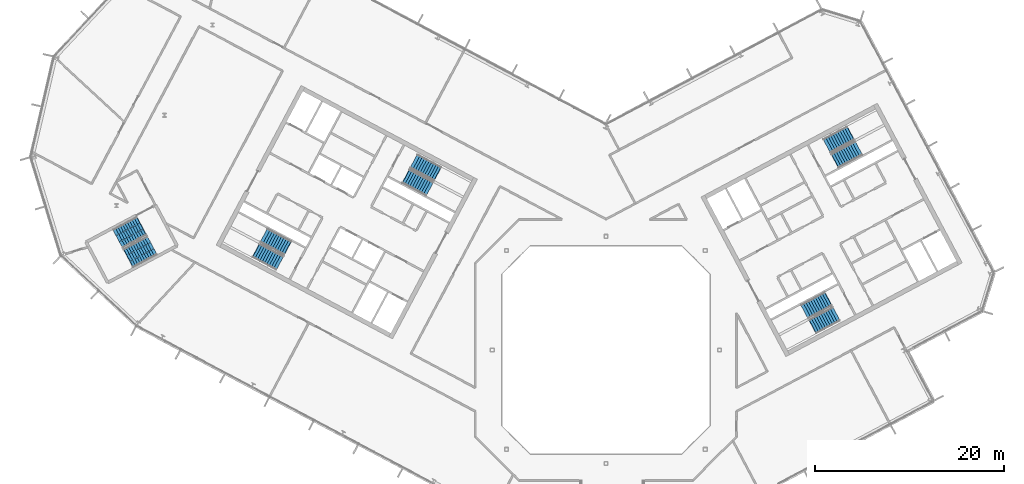
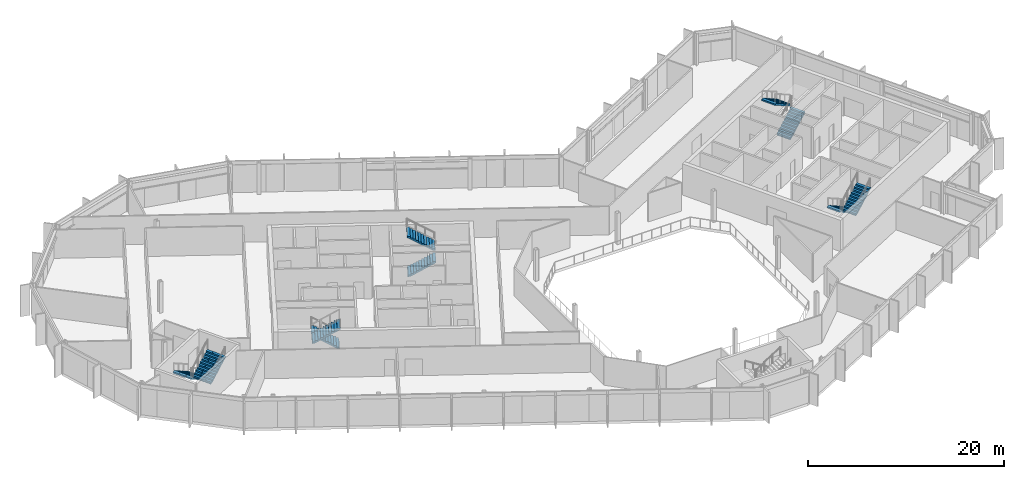
# One storey, part 18 of 26: 10 stair flights, 5 elements without a shape of their own.
"""IFC4 building model written with IfcOpenShell, lengths in metres."""

from ifc_helpers import new_model, si_unit, direction, frame, origin, place, context, subcontext, project, spatial, polyline, outline, extrude, material, type_object, element, aggregate, save


model = new_model("IFC4")

# Units and contexts
model_context = context("Model", 3, precision=1e-05, world=origin(), true_north=direction((0.0, 1.0)))
body_context = subcontext(model_context, "Body", "Model", "MODEL_VIEW")
ifc_project = project(units=[si_unit("LENGTHUNIT", "METRE"), si_unit("AREAUNIT", "SQUARE_METRE"), si_unit("VOLUMEUNIT", "CUBIC_METRE"), si_unit("PLANEANGLEUNIT", "RADIAN"), si_unit("MASSUNIT", "GRAM", prefix="KILO")], contexts=[model_context])

# Site, building, storey
site_placement = place(None, origin())
site = spatial("IfcSite", under=ifc_project, at=site_placement, CompositionType="ELEMENT")
building_placement = place(site_placement, origin())
building = spatial("IfcBuilding", under=site, at=building_placement, Name="Cormorant Relay Tower", CompositionType="ELEMENT")
storey_placement = place(building_placement, frame((0.0, 0.0, 277.5)))
storey = spatial("IfcBuildingStorey", under=building, at=storey_placement, Name="L62", CompositionType="ELEMENT", Elevation=277.5)

# Stair, stair flights
ifc_material_1 = material(Name="Concrete 40 MPa", Category="concrete")
stair_type_1 = type_object("IfcStairType", Name="Exit stair 1500", PredefinedType="HALF_TURN_STAIR", material=ifc_material_1)
stair_1_placement = place(storey_placement, origin())
stair_1 = element("IfcStair", 1, at=stair_1_placement, inside=storey, type_object=stair_type_1, Name="L62 Stair", PredefinedType="HALF_TURN_STAIR")
ifc_material_2 = material(Name="Concrete 40 MPa", Category="concrete")
stair_flight_type_1 = type_object("IfcStairFlightType", Name="Exit stair flight 1650", PredefinedType="STRAIGHT", material=ifc_material_2)
stair_flight_1_placement = place(storey_placement, frame((-21.114501953125, 18.33349609375, 0.0), z_axis=(0.0, 0.0, 1.0), x_axis=(0.882947592859, -0.469471562786, 0.0)))
stair_flight_1 = element("IfcStairFlight", 2, at=stair_flight_1_placement, type_object=stair_flight_type_1, Name="A1 flight 1", NumberOfRisers=11, NumberOfTreads=10, PredefinedType="STRAIGHT", RiserHeight=0.177272727, TreadLength=0.28, context=body_context, shape_type="SweptSolid", body=[
    extrude(outline(polyline([(-0.050048828125, -0.080078125), (-0.050048828125, 0.0), (0.0, 0.0), (0.0, 0.17724609375), (0.280029296875, 0.17724609375), (0.280029296875, 0.3544921875), (0.56005859375, 0.3544921875), (0.56005859375, 0.53173828125), (0.840087890625, 0.53173828125), (0.840087890625, 0.708984375), (1.1201171875, 0.708984375), (1.1201171875, 0.886474609375), (1.39990234375, 0.886474609375), (1.39990234375, 1.063720703125), (1.679931640625, 1.063720703125), (1.679931640625, 1.240966796875), (1.9599609375, 1.240966796875), (1.9599609375, 1.418212890625), (2.239990234375, 1.418212890625), (2.239990234375, 1.595458984375), (2.52001953125, 1.595458984375), (2.52001953125, 1.772705078125), (2.800048828125, 1.772705078125), (2.85009765625, 1.772705078125), (2.85009765625, 1.59521484375), (2.800048828125, 1.59521484375), (0.2802734375, 0.0), (-0.050048828125, -0.080078125)])), frame((0.0, 0.824951171875, 0.0), z_axis=(0.0, -1.0, 0.0), x_axis=(1.0, 0.0, 0.0)), (0.0, 0.0, 1.0), 1.64990234375),
])
stair_flight_2_placement = place(storey_placement, frame((-17.797119140625, 18.6083984375, 1.949951171875), z_axis=(0.0, 0.0, 1.0), x_axis=(-0.882947592859, 0.469471562786, 0.0)))
stair_flight_2 = element("IfcStairFlight", 3, at=stair_flight_2_placement, type_object=stair_flight_type_1, Name="A1 flight 2", NumberOfRisers=11, NumberOfTreads=10, PredefinedType="STRAIGHT", RiserHeight=0.177272727, TreadLength=0.28, context=body_context, shape_type="SweptSolid", body=[
    extrude(outline(polyline([(-0.050048828125, -0.080078125), (-0.050048828125, 0.0), (0.0, 0.0), (0.0, 0.17724609375), (0.280029296875, 0.17724609375), (0.280029296875, 0.3544921875), (0.56005859375, 0.3544921875), (0.56005859375, 0.53173828125), (0.840087890625, 0.53173828125), (0.840087890625, 0.708984375), (1.1201171875, 0.708984375), (1.1201171875, 0.886474609375), (1.39990234375, 0.886474609375), (1.39990234375, 1.063720703125), (1.679931640625, 1.063720703125), (1.679931640625, 1.240966796875), (1.9599609375, 1.240966796875), (1.9599609375, 1.418212890625), (2.239990234375, 1.418212890625), (2.239990234375, 1.595458984375), (2.52001953125, 1.595458984375), (2.52001953125, 1.772705078125), (2.800048828125, 1.772705078125), (2.85009765625, 1.772705078125), (2.85009765625, 1.59521484375), (2.800048828125, 1.59521484375), (0.2802734375, 0.0), (-0.050048828125, -0.080078125)])), frame((0.0, 0.824951171875, 0.0), z_axis=(0.0, -1.0, 0.0), x_axis=(1.0, 0.0, 0.0)), (0.0, 0.0, 1.0), 1.64990234375),
])
aggregate(stair_1, [stair_flight_1, stair_flight_2])

stair_2_placement = place(storey_placement, origin())
stair_2 = element("IfcStair", 4, at=stair_2_placement, inside=storey, type_object=stair_type_1, Name="L62 Stair", PredefinedType="HALF_TURN_STAIR")
stair_flight_3_placement = place(storey_placement, frame((-33.62841796875, 10.773681640625, 0.0), z_axis=(0.0, 0.0, 1.0), x_axis=(-0.882947592859, 0.469471562786, 0.0)))
stair_flight_3 = element("IfcStairFlight", 5, at=stair_flight_3_placement, type_object=stair_flight_type_1, Name="A2 flight 1", NumberOfRisers=11, NumberOfTreads=10, PredefinedType="STRAIGHT", RiserHeight=0.177272727, TreadLength=0.28, context=body_context, shape_type="SweptSolid", body=[
    extrude(outline(polyline([(-0.050048828125, -0.080078125), (-0.050048828125, 0.0), (0.0, 0.0), (0.0, 0.17724609375), (0.280029296875, 0.17724609375), (0.280029296875, 0.3544921875), (0.56005859375, 0.3544921875), (0.56005859375, 0.53173828125), (0.840087890625, 0.53173828125), (0.840087890625, 0.708984375), (1.1201171875, 0.708984375), (1.1201171875, 0.886474609375), (1.39990234375, 0.886474609375), (1.39990234375, 1.063720703125), (1.679931640625, 1.063720703125), (1.679931640625, 1.240966796875), (1.9599609375, 1.240966796875), (1.9599609375, 1.418212890625), (2.239990234375, 1.418212890625), (2.239990234375, 1.595458984375), (2.52001953125, 1.595458984375), (2.52001953125, 1.772705078125), (2.800048828125, 1.772705078125), (2.85009765625, 1.772705078125), (2.85009765625, 1.59521484375), (2.800048828125, 1.59521484375), (0.2802734375, 0.0), (-0.050048828125, -0.080078125)])), frame((0.0, 0.824951171875, 0.0), z_axis=(0.0, -1.0, 0.0), x_axis=(1.0, 0.0, 0.0)), (0.0, 0.0, 1.0), 1.64990234375),
])
stair_flight_4_placement = place(storey_placement, frame((-36.945556640625, 10.498779296875, 1.949951171875), z_axis=(0.0, 0.0, 1.0), x_axis=(0.882947592859, -0.469471562786, 0.0)))
stair_flight_4 = element("IfcStairFlight", 6, at=stair_flight_4_placement, type_object=stair_flight_type_1, Name="A2 flight 2", NumberOfRisers=11, NumberOfTreads=10, PredefinedType="STRAIGHT", RiserHeight=0.177272727, TreadLength=0.28, context=body_context, shape_type="SweptSolid", body=[
    extrude(outline(polyline([(-0.050048828125, -0.080078125), (-0.050048828125, 0.0), (0.0, 0.0), (0.0, 0.17724609375), (0.280029296875, 0.17724609375), (0.280029296875, 0.3544921875), (0.56005859375, 0.3544921875), (0.56005859375, 0.53173828125), (0.840087890625, 0.53173828125), (0.840087890625, 0.708984375), (1.1201171875, 0.708984375), (1.1201171875, 0.886474609375), (1.39990234375, 0.886474609375), (1.39990234375, 1.063720703125), (1.679931640625, 1.063720703125), (1.679931640625, 1.240966796875), (1.9599609375, 1.240966796875), (1.9599609375, 1.418212890625), (2.239990234375, 1.418212890625), (2.239990234375, 1.595458984375), (2.52001953125, 1.595458984375), (2.52001953125, 1.772705078125), (2.800048828125, 1.772705078125), (2.85009765625, 1.772705078125), (2.85009765625, 1.59521484375), (2.800048828125, 1.59521484375), (0.2802734375, 0.0), (-0.050048828125, -0.080078125)])), frame((0.0, 0.824951171875, 0.0), z_axis=(0.0, -1.0, 0.0), x_axis=(1.0, 0.0, 0.0)), (0.0, 0.0, 1.0), 1.64990234375),
])
aggregate(stair_2, [stair_flight_3, stair_flight_4])

stair_3_placement = place(storey_placement, origin())
stair_3 = element("IfcStair", 7, at=stair_3_placement, inside=storey, type_object=stair_type_1, Name="L62 Stair", PredefinedType="HALF_TURN_STAIR")
stair_flight_5_placement = place(storey_placement, frame((23.474365234375, 5.374755859375, 0.0), z_axis=(0.0, 0.0, 1.0), x_axis=(-0.882947592859, -0.469471562786, 0.0)))
stair_flight_5 = element("IfcStairFlight", 8, at=stair_flight_5_placement, type_object=stair_flight_type_1, Name="B1 flight 1", NumberOfRisers=11, NumberOfTreads=10, PredefinedType="STRAIGHT", RiserHeight=0.177272727, TreadLength=0.28, context=body_context, shape_type="SweptSolid", body=[
    extrude(outline(polyline([(-0.050048828125, -0.080078125), (-0.050048828125, 0.0), (0.0, 0.0), (0.0, 0.17724609375), (0.280029296875, 0.17724609375), (0.280029296875, 0.3544921875), (0.56005859375, 0.3544921875), (0.56005859375, 0.53173828125), (0.840087890625, 0.53173828125), (0.840087890625, 0.708984375), (1.1201171875, 0.708984375), (1.1201171875, 0.886474609375), (1.39990234375, 0.886474609375), (1.39990234375, 1.063720703125), (1.679931640625, 1.063720703125), (1.679931640625, 1.240966796875), (1.9599609375, 1.240966796875), (1.9599609375, 1.418212890625), (2.239990234375, 1.418212890625), (2.239990234375, 1.595458984375), (2.52001953125, 1.595458984375), (2.52001953125, 1.772705078125), (2.800048828125, 1.772705078125), (2.85009765625, 1.772705078125), (2.85009765625, 1.59521484375), (2.800048828125, 1.59521484375), (0.2802734375, 0.0), (-0.050048828125, -0.080078125)])), frame((0.0, 0.824951171875, 0.0), z_axis=(0.0, -1.0, 0.0), x_axis=(1.0, 0.0, 0.0)), (0.0, 0.0, 1.0), 1.64990234375),
])
stair_flight_6_placement = place(storey_placement, frame((21.84716796875, 2.470947265625, 1.949951171875), z_axis=(0.0, 0.0, 1.0), x_axis=(0.882947592859, 0.469471562786, 0.0)))
stair_flight_6 = element("IfcStairFlight", 9, at=stair_flight_6_placement, type_object=stair_flight_type_1, Name="B1 flight 2", NumberOfRisers=11, NumberOfTreads=10, PredefinedType="STRAIGHT", RiserHeight=0.177272727, TreadLength=0.28, context=body_context, shape_type="SweptSolid", body=[
    extrude(outline(polyline([(-0.050048828125, -0.080078125), (-0.050048828125, 0.0), (0.0, 0.0), (0.0, 0.17724609375), (0.280029296875, 0.17724609375), (0.280029296875, 0.3544921875), (0.56005859375, 0.3544921875), (0.56005859375, 0.53173828125), (0.840087890625, 0.53173828125), (0.840087890625, 0.708984375), (1.1201171875, 0.708984375), (1.1201171875, 0.886474609375), (1.39990234375, 0.886474609375), (1.39990234375, 1.063720703125), (1.679931640625, 1.063720703125), (1.679931640625, 1.240966796875), (1.9599609375, 1.240966796875), (1.9599609375, 1.418212890625), (2.239990234375, 1.418212890625), (2.239990234375, 1.595458984375), (2.52001953125, 1.595458984375), (2.52001953125, 1.772705078125), (2.800048828125, 1.772705078125), (2.85009765625, 1.772705078125), (2.85009765625, 1.59521484375), (2.800048828125, 1.59521484375), (0.2802734375, 0.0), (-0.050048828125, -0.080078125)])), frame((0.0, 0.824951171875, 0.0), z_axis=(0.0, -1.0, 0.0), x_axis=(1.0, 0.0, 0.0)), (0.0, 0.0, 1.0), 1.64990234375),
])
aggregate(stair_3, [stair_flight_5, stair_flight_6])

stair_4_placement = place(storey_placement, origin())
stair_4 = element("IfcStair", 10, at=stair_4_placement, inside=storey, type_object=stair_type_1, Name="L62 Stair", PredefinedType="HALF_TURN_STAIR")
stair_flight_7_placement = place(storey_placement, frame((24.20458984375, 19.976806640625, 0.0), z_axis=(0.0, 0.0, 1.0), x_axis=(0.882947592859, 0.469471562786, 0.0)))
stair_flight_7 = element("IfcStairFlight", 11, at=stair_flight_7_placement, type_object=stair_flight_type_1, Name="B2 flight 1", NumberOfRisers=11, NumberOfTreads=10, PredefinedType="STRAIGHT", RiserHeight=0.177272727, TreadLength=0.28, context=body_context, shape_type="SweptSolid", body=[
    extrude(outline(polyline([(-0.050048828125, -0.080078125), (-0.050048828125, 0.0), (0.0, 0.0), (0.0, 0.17724609375), (0.280029296875, 0.17724609375), (0.280029296875, 0.3544921875), (0.56005859375, 0.3544921875), (0.56005859375, 0.53173828125), (0.840087890625, 0.53173828125), (0.840087890625, 0.708984375), (1.1201171875, 0.708984375), (1.1201171875, 0.886474609375), (1.39990234375, 0.886474609375), (1.39990234375, 1.063720703125), (1.679931640625, 1.063720703125), (1.679931640625, 1.240966796875), (1.9599609375, 1.240966796875), (1.9599609375, 1.418212890625), (2.239990234375, 1.418212890625), (2.239990234375, 1.595458984375), (2.52001953125, 1.595458984375), (2.52001953125, 1.772705078125), (2.800048828125, 1.772705078125), (2.85009765625, 1.772705078125), (2.85009765625, 1.59521484375), (2.800048828125, 1.59521484375), (0.2802734375, 0.0), (-0.050048828125, -0.080078125)])), frame((0.0, 0.824951171875, 0.0), z_axis=(0.0, -1.0, 0.0), x_axis=(1.0, 0.0, 0.0)), (0.0, 0.0, 1.0), 1.64990234375),
])
stair_flight_8_placement = place(storey_placement, frame((25.831787109375, 22.880615234375, 1.949951171875), z_axis=(0.0, 0.0, 1.0), x_axis=(-0.882947592859, -0.469471562786, 0.0)))
stair_flight_8 = element("IfcStairFlight", 12, at=stair_flight_8_placement, type_object=stair_flight_type_1, Name="B2 flight 2", NumberOfRisers=11, NumberOfTreads=10, PredefinedType="STRAIGHT", RiserHeight=0.177272727, TreadLength=0.28, context=body_context, shape_type="SweptSolid", body=[
    extrude(outline(polyline([(-0.050048828125, -0.080078125), (-0.050048828125, 0.0), (0.0, 0.0), (0.0, 0.17724609375), (0.280029296875, 0.17724609375), (0.280029296875, 0.3544921875), (0.56005859375, 0.3544921875), (0.56005859375, 0.53173828125), (0.840087890625, 0.53173828125), (0.840087890625, 0.708984375), (1.1201171875, 0.708984375), (1.1201171875, 0.886474609375), (1.39990234375, 0.886474609375), (1.39990234375, 1.063720703125), (1.679931640625, 1.063720703125), (1.679931640625, 1.240966796875), (1.9599609375, 1.240966796875), (1.9599609375, 1.418212890625), (2.239990234375, 1.418212890625), (2.239990234375, 1.595458984375), (2.52001953125, 1.595458984375), (2.52001953125, 1.772705078125), (2.800048828125, 1.772705078125), (2.85009765625, 1.772705078125), (2.85009765625, 1.59521484375), (2.800048828125, 1.59521484375), (0.2802734375, 0.0), (-0.050048828125, -0.080078125)])), frame((0.0, 0.824951171875, 0.0), z_axis=(0.0, -1.0, 0.0), x_axis=(1.0, 0.0, 0.0)), (0.0, 0.0, 1.0), 1.64990234375),
])
aggregate(stair_4, [stair_flight_7, stair_flight_8])

ifc_material_3 = material(Name="Concrete 40 MPa", Category="concrete")
stair_type_2 = type_object("IfcStairType", Name="Remote exit stair 2200", PredefinedType="HALF_TURN_STAIR", material=ifc_material_3)
stair_5_placement = place(storey_placement, origin())
stair_5 = element("IfcStair", 13, at=stair_5_placement, inside=storey, type_object=stair_type_2, Name="L62 Stair", PredefinedType="HALF_TURN_STAIR")
ifc_material_4 = material(Name="Concrete 40 MPa", Category="concrete")
stair_flight_type_2 = type_object("IfcStairFlightType", Name="Remote exit stair flight 2200", PredefinedType="STRAIGHT", material=ifc_material_4)
stair_flight_9_placement = place(storey_placement, frame((-49.062255859375, 13.08251953125, 0.0), z_axis=(0.0, 0.0, 1.0), x_axis=(-0.882947502727, -0.4694717323, 0.0)))
stair_flight_9 = element("IfcStairFlight", 14, at=stair_flight_9_placement, type_object=stair_flight_type_2, Name="RP1 flight 1", NumberOfRisers=11, NumberOfTreads=10, PredefinedType="STRAIGHT", RiserHeight=0.177272727, TreadLength=0.28, context=body_context, shape_type="SweptSolid", body=[
    extrude(outline(polyline([(-0.050048828125, -0.080078125), (-0.050048828125, 0.0), (0.0, 0.0), (0.0, 0.17724609375), (0.280029296875, 0.17724609375), (0.280029296875, 0.3544921875), (0.56005859375, 0.3544921875), (0.56005859375, 0.53173828125), (0.840087890625, 0.53173828125), (0.840087890625, 0.708984375), (1.1201171875, 0.708984375), (1.1201171875, 0.886474609375), (1.39990234375, 0.886474609375), (1.39990234375, 1.063720703125), (1.679931640625, 1.063720703125), (1.679931640625, 1.240966796875), (1.9599609375, 1.240966796875), (1.9599609375, 1.418212890625), (2.239990234375, 1.418212890625), (2.239990234375, 1.595458984375), (2.52001953125, 1.595458984375), (2.52001953125, 1.772705078125), (2.800048828125, 1.772705078125), (2.85009765625, 1.772705078125), (2.85009765625, 1.59521484375), (2.800048828125, 1.59521484375), (0.2802734375, 0.0), (-0.050048828125, -0.080078125)])), frame((0.0, 1.10009765625, 0.0), z_axis=(0.0, -1.0, 0.0), x_axis=(1.0, 0.0, 0.0)), (0.0, 0.0, 1.0), 0.719970703125),
    extrude(outline(polyline([(-0.050048828125, -0.080078125), (-0.050048828125, 0.0), (0.0, 0.0), (0.0, 0.17724609375), (0.280029296875, 0.17724609375), (0.280029296875, 0.3544921875), (0.56005859375, 0.3544921875), (0.56005859375, 0.53173828125), (0.840087890625, 0.53173828125), (0.840087890625, 0.708984375), (1.1201171875, 0.708984375), (1.1201171875, 0.886474609375), (1.39990234375, 0.886474609375), (1.39990234375, 1.063720703125), (1.679931640625, 1.063720703125), (1.679931640625, 1.240966796875), (1.9599609375, 1.240966796875), (1.9599609375, 1.418212890625), (2.239990234375, 1.418212890625), (2.239990234375, 1.595458984375), (2.52001953125, 1.595458984375), (2.52001953125, 1.772705078125), (2.800048828125, 1.772705078125), (2.85009765625, 1.772705078125), (2.85009765625, 1.59521484375), (2.800048828125, 1.59521484375), (0.2802734375, 0.0), (-0.050048828125, -0.080078125)])), frame((0.0, 0.360107421875, 0.0), z_axis=(0.0, -1.0, 0.0), x_axis=(1.0, 0.0, 0.0)), (0.0, 0.0, 1.0), 0.719970703125),
    extrude(outline(polyline([(-0.050048828125, -0.080078125), (-0.050048828125, 0.0), (0.0, 0.0), (0.0, 0.17724609375), (0.280029296875, 0.17724609375), (0.280029296875, 0.3544921875), (0.56005859375, 0.3544921875), (0.56005859375, 0.53173828125), (0.840087890625, 0.53173828125), (0.840087890625, 0.708984375), (1.1201171875, 0.708984375), (1.1201171875, 0.886474609375), (1.39990234375, 0.886474609375), (1.39990234375, 1.063720703125), (1.679931640625, 1.063720703125), (1.679931640625, 1.240966796875), (1.9599609375, 1.240966796875), (1.9599609375, 1.418212890625), (2.239990234375, 1.418212890625), (2.239990234375, 1.595458984375), (2.52001953125, 1.595458984375), (2.52001953125, 1.772705078125), (2.800048828125, 1.772705078125), (2.85009765625, 1.772705078125), (2.85009765625, 1.59521484375), (2.800048828125, 1.59521484375), (0.2802734375, 0.0), (-0.050048828125, -0.080078125)])), frame((0.0, -0.3798828125, 0.0), z_axis=(0.0, -1.0, 0.0), x_axis=(1.0, 0.0, 0.0)), (0.0, 0.0, 1.0), 0.719970703125),
])
stair_flight_10_placement = place(storey_placement, frame((-50.431396484375, 9.693115234375, 1.949951171875), z_axis=(0.0, 0.0, 1.0), x_axis=(0.882947502727, 0.4694717323, 0.0)))
stair_flight_10 = element("IfcStairFlight", 15, at=stair_flight_10_placement, type_object=stair_flight_type_2, Name="RP1 flight 2", NumberOfRisers=11, NumberOfTreads=10, PredefinedType="STRAIGHT", RiserHeight=0.177272727, TreadLength=0.28, context=body_context, shape_type="SweptSolid", body=[
    extrude(outline(polyline([(-0.050048828125, -0.080078125), (-0.050048828125, 0.0), (0.0, 0.0), (0.0, 0.17724609375), (0.280029296875, 0.17724609375), (0.280029296875, 0.3544921875), (0.56005859375, 0.3544921875), (0.56005859375, 0.53173828125), (0.840087890625, 0.53173828125), (0.840087890625, 0.708984375), (1.1201171875, 0.708984375), (1.1201171875, 0.886474609375), (1.39990234375, 0.886474609375), (1.39990234375, 1.063720703125), (1.679931640625, 1.063720703125), (1.679931640625, 1.240966796875), (1.9599609375, 1.240966796875), (1.9599609375, 1.418212890625), (2.239990234375, 1.418212890625), (2.239990234375, 1.595458984375), (2.52001953125, 1.595458984375), (2.52001953125, 1.772705078125), (2.800048828125, 1.772705078125), (2.85009765625, 1.772705078125), (2.85009765625, 1.59521484375), (2.800048828125, 1.59521484375), (0.2802734375, 0.0), (-0.050048828125, -0.080078125)])), frame((0.0, 1.10009765625, 0.0), z_axis=(0.0, -1.0, 0.0), x_axis=(1.0, 0.0, 0.0)), (0.0, 0.0, 1.0), 0.719970703125),
    extrude(outline(polyline([(-0.050048828125, -0.080078125), (-0.050048828125, 0.0), (0.0, 0.0), (0.0, 0.17724609375), (0.280029296875, 0.17724609375), (0.280029296875, 0.3544921875), (0.56005859375, 0.3544921875), (0.56005859375, 0.53173828125), (0.840087890625, 0.53173828125), (0.840087890625, 0.708984375), (1.1201171875, 0.708984375), (1.1201171875, 0.886474609375), (1.39990234375, 0.886474609375), (1.39990234375, 1.063720703125), (1.679931640625, 1.063720703125), (1.679931640625, 1.240966796875), (1.9599609375, 1.240966796875), (1.9599609375, 1.418212890625), (2.239990234375, 1.418212890625), (2.239990234375, 1.595458984375), (2.52001953125, 1.595458984375), (2.52001953125, 1.772705078125), (2.800048828125, 1.772705078125), (2.85009765625, 1.772705078125), (2.85009765625, 1.59521484375), (2.800048828125, 1.59521484375), (0.2802734375, 0.0), (-0.050048828125, -0.080078125)])), frame((0.0, 0.360107421875, 0.0), z_axis=(0.0, -1.0, 0.0), x_axis=(1.0, 0.0, 0.0)), (0.0, 0.0, 1.0), 0.719970703125),
    extrude(outline(polyline([(-0.050048828125, -0.080078125), (-0.050048828125, 0.0), (0.0, 0.0), (0.0, 0.17724609375), (0.280029296875, 0.17724609375), (0.280029296875, 0.3544921875), (0.56005859375, 0.3544921875), (0.56005859375, 0.53173828125), (0.840087890625, 0.53173828125), (0.840087890625, 0.708984375), (1.1201171875, 0.708984375), (1.1201171875, 0.886474609375), (1.39990234375, 0.886474609375), (1.39990234375, 1.063720703125), (1.679931640625, 1.063720703125), (1.679931640625, 1.240966796875), (1.9599609375, 1.240966796875), (1.9599609375, 1.418212890625), (2.239990234375, 1.418212890625), (2.239990234375, 1.595458984375), (2.52001953125, 1.595458984375), (2.52001953125, 1.772705078125), (2.800048828125, 1.772705078125), (2.85009765625, 1.772705078125), (2.85009765625, 1.59521484375), (2.800048828125, 1.59521484375), (0.2802734375, 0.0), (-0.050048828125, -0.080078125)])), frame((0.0, -0.3798828125, 0.0), z_axis=(0.0, -1.0, 0.0), x_axis=(1.0, 0.0, 0.0)), (0.0, 0.0, 1.0), 0.719970703125),
])
aggregate(stair_5, [stair_flight_9, stair_flight_10])

save(model, "model.ifc")
